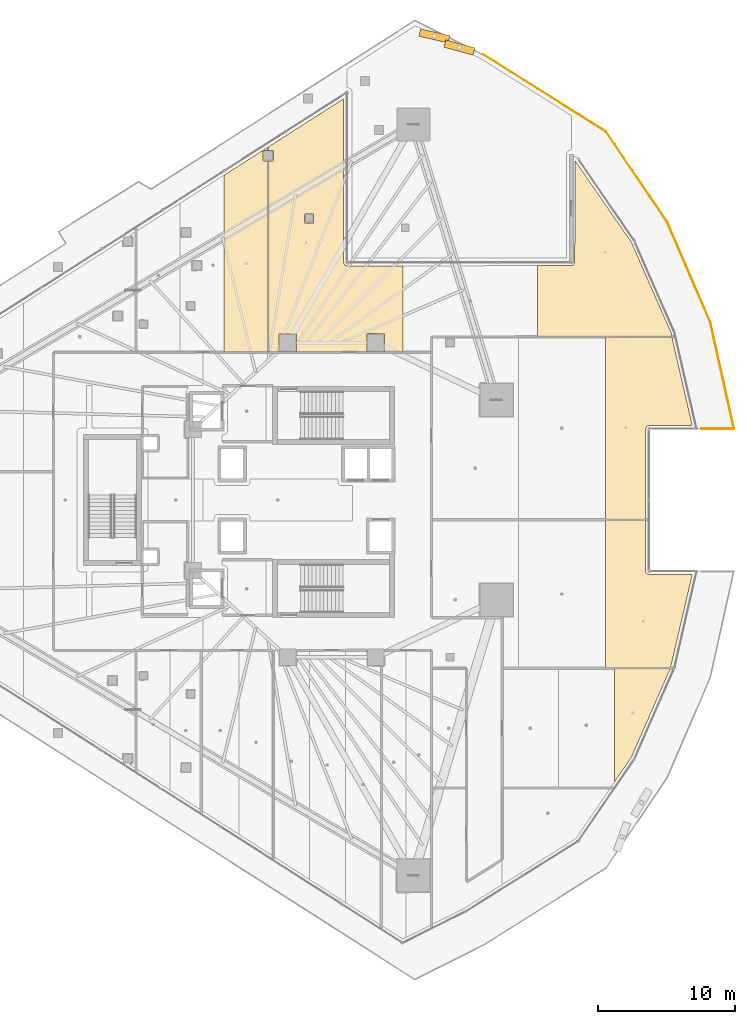
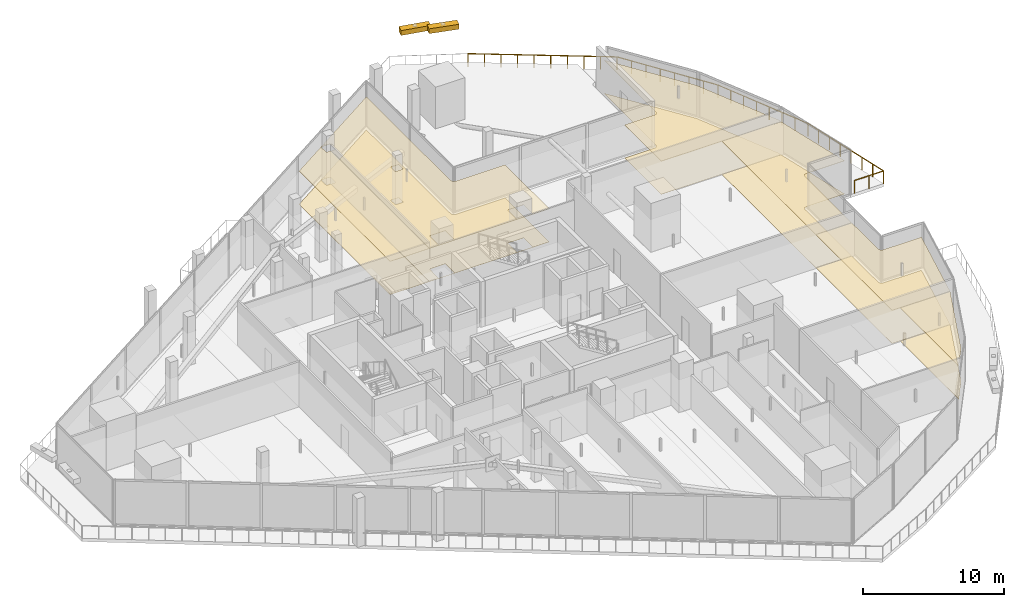
# One storey, part 47 of 47: 12 coverings, 2 shading devices, 1 railing.
"""IFC4 building model written with IfcOpenShell, lengths in metres."""

from ifc_helpers import new_model, si_unit, direction, frame, origin, origin_2d, place, context, subcontext, project, spatial, polyline, rectangle, circle, outline, extrude, material, layer, layer_set, type_object, element, save


model = new_model("IFC4")

# Units and contexts
model_context = context("Model", 3, precision=1e-05, world=origin(), true_north=direction((0.0, 1.0)))
body_context = subcontext(model_context, "Body", "Model", "MODEL_VIEW")
ifc_project = project(units=[si_unit("LENGTHUNIT", "METRE"), si_unit("AREAUNIT", "SQUARE_METRE"), si_unit("VOLUMEUNIT", "CUBIC_METRE"), si_unit("PLANEANGLEUNIT", "RADIAN"), si_unit("MASSUNIT", "GRAM", prefix="KILO")], contexts=[model_context])

# Site, building, storey
site_placement = place(None, origin())
site = spatial("IfcSite", under=ifc_project, at=site_placement, CompositionType="ELEMENT")
building_placement = place(site_placement, origin())
building = spatial("IfcBuilding", under=site, at=building_placement, Name="Qorvath Tower", CompositionType="ELEMENT")
storey_placement = place(building_placement, frame((0.0, 0.0, 74.39990234375)))
storey = spatial("IfcBuildingStorey", under=building, at=storey_placement, Name="L16", CompositionType="ELEMENT", Elevation=74.39990234375)

# Coverings
ifc_material_1 = material(Name="Acoustic mineral fibre ceiling tile", Category="gypsum")
ifc_layer_1 = layer(ifc_material_1, 0.030029296875)
ifc_layer_set_1 = layer_set([ifc_layer_1], Name="COV-CEIL")
covering_type_1 = type_object("IfcCoveringType", Name="COV-CEIL", PredefinedType="CEILING", material=ifc_layer_set_1)
covering_1_placement = place(storey_placement, frame((0.0, 0.0, 2.85009765625)))
element("IfcCovering", 1, at=covering_1_placement, inside=storey, type_object=covering_type_1, Name="L16 Suspended Acoustic Ceiling 010", PredefinedType="CEILING", context=body_context, shape_type="SweptSolid", body=[
    extrude(outline(polyline([(-25.038818359375, 25.44384765625), (-25.038818359375, 25.686279296875), (-28.240966796875, 23.639892578125), (-28.240966796875, 10.762939453125), (-25.038818359375, 10.762939453125), (-25.038818359375, 24.673828125), (-25.405029296875, 24.69140625), (-25.422607421875, 25.3837890625), (-25.362548828125, 25.44384765625), (-25.038818359375, 25.44384765625)])), origin(), (0.0, 0.0, 1.0), 0.030029296875),
])
covering_2_placement = place(storey_placement, frame((0.0, 0.0, 2.85009765625)))
element("IfcCovering", 2, at=covering_2_placement, inside=storey, type_object=covering_type_1, Name="L16 Suspended Acoustic Ceiling 011", PredefinedType="CEILING", context=body_context, shape_type="SweptSolid", body=[
    extrude(outline(polyline([(-15.228271484375, 10.762939453125), (-15.228271484375, 17.034423828125), (-19.280029296875, 17.02490234375), (-19.458740234375, 17.0986328125), (-19.534912109375, 17.280029296875), (-19.534912109375, 29.2041015625), (-25.020751953125, 25.697998046875), (-25.020751953125, 25.44384765625), (-24.712646484375, 25.44384765625), (-24.652587890625, 25.3837890625), (-24.652587890625, 24.73388671875), (-24.712646484375, 24.673828125), (-25.020751953125, 24.673828125), (-25.020751953125, 10.762939453125), (-15.228271484375, 10.762939453125)]), holes=[polyline([(-17.860107421875, 12.050048828125), (-17.800048828125, 12.110107421875), (-16.5576171875, 12.092529296875), (-16.5576171875, 10.8076171875), (-17.842529296875, 10.8076171875), (-17.860107421875, 12.050048828125)]), polyline([(-22.38818359375, 20.77001953125), (-22.328125, 20.829833984375), (-21.73583984375, 20.812255859375), (-21.73583984375, 20.177490234375), (-22.37060546875, 20.177490234375), (-22.38818359375, 20.77001953125)]), polyline([(-24.260009765625, 10.85009765625), (-24.242431640625, 12.092529296875), (-22.95751953125, 12.092529296875), (-22.95751953125, 10.8076171875), (-24.199951171875, 10.7900390625), (-24.260009765625, 10.85009765625)])]), origin(), (0.0, 0.0, 1.0), 0.030029296875),
])
covering_3_placement = place(storey_placement, frame((0.0, 0.0, 2.85009765625)))
element("IfcCovering", 3, at=covering_3_placement, inside=storey, type_object=covering_type_1, Name="L16 Suspended Acoustic Ceiling 013", PredefinedType="CEILING", context=body_context, shape_type="SweptSolid", body=[
    extrude(outline(polyline([(-5.435546875, 17.057373046875), (-5.435546875, 11.878173828125), (4.357177734375, 11.883056640625), (4.30078125, 12.158447265625), (1.416259765625, 18.74072265625), (-2.696044921875, 24.69970703125), (-2.72509765625, 17.281005859375), (-2.869384765625, 17.0634765625), (-5.435546875, 17.057373046875)])), origin(), (0.0, 0.0, 1.0), 0.030029296875),
])
covering_4_placement = place(storey_placement, frame((0.0, 0.0, 2.85009765625)))
element("IfcCovering", 4, at=covering_4_placement, inside=storey, type_object=covering_type_1, Name="L16 Suspended Acoustic Ceiling 027", PredefinedType="CEILING", context=body_context, shape_type="SweptSolid", body=[
    extrude(outline(polyline([(0.162353515625, -12.254150390625), (0.162353515625, -20.541259765625), (1.398681640625, -18.73095703125), (4.237060546875, -12.254150390625), (0.162353515625, -12.254150390625)])), origin(), (0.0, 0.0, 1.0), 0.030029296875),
])
covering_5_placement = place(storey_placement, frame((0.0, 0.0, 2.85009765625)))
element("IfcCovering", 5, at=covering_5_placement, inside=storey, type_object=covering_type_1, Name="L16 Suspended Acoustic Ceiling 031", PredefinedType="CEILING", context=body_context, shape_type="SweptSolid", body=[
    extrude(outline(polyline([(2.532958984375, -5.3798828125), (2.445556640625, -5.232666015625), (2.44091796875, -1.4462890625), (-0.491455078125, -1.4462890625), (-0.491455078125, -12.236328125), (4.244140625, -12.236328125), (5.831298828125, -5.43896484375), (2.67138671875, -5.437744140625), (2.532958984375, -5.3798828125)])), origin(), (0.0, 0.0, 1.0), 0.030029296875),
])
covering_6_placement = place(storey_placement, frame((0.0, 0.0, 2.85009765625)))
element("IfcCovering", 6, at=covering_6_placement, inside=storey, type_object=covering_type_1, Name="L16 Suspended Acoustic Ceiling 034", PredefinedType="CEILING", context=body_context, shape_type="SweptSolid", body=[
    extrude(outline(polyline([(2.51708984375, 5.365478515625), (2.69580078125, 5.43896484375), (5.831298828125, 5.43896484375), (4.348388671875, 11.864990234375), (-0.491455078125, 11.863037109375), (-0.491455078125, -1.428466796875), (2.44091796875, -1.428466796875), (2.44091796875, 5.18408203125), (2.51708984375, 5.365478515625)])), origin(), (0.0, 0.0, 1.0), 0.030029296875),
])
ifc_material_2 = material(Name="Low-VOC modular carpet tile", Category="textile")
ifc_layer_2 = layer(ifc_material_2, 0.014892578125)
ifc_layer_set_2 = layer_set([ifc_layer_2], Name="COV-FLOOR-CPT")
covering_type_2 = type_object("IfcCoveringType", Name="COV-FLOOR-CPT", PredefinedType="FLOORING", material=ifc_layer_set_2)
covering_7_placement = place(storey_placement, origin())
element("IfcCovering", 7, at=covering_7_placement, inside=storey, type_object=covering_type_2, Name="L16 Floor Finish 010", PredefinedType="FLOORING", context=body_context, shape_type="SweptSolid", body=[
    extrude(outline(polyline([(-25.038818359375, 25.44384765625), (-25.038818359375, 25.686279296875), (-28.240966796875, 23.639892578125), (-28.240966796875, 10.762939453125), (-25.038818359375, 10.762939453125), (-25.038818359375, 24.673828125), (-25.405029296875, 24.69140625), (-25.422607421875, 25.3837890625), (-25.362548828125, 25.44384765625), (-25.038818359375, 25.44384765625)])), origin(), (0.0, 0.0, 1.0), 0.01513671875),
])
covering_8_placement = place(storey_placement, origin())
element("IfcCovering", 8, at=covering_8_placement, inside=storey, type_object=covering_type_2, Name="L16 Floor Finish 011", PredefinedType="FLOORING", context=body_context, shape_type="SweptSolid", body=[
    extrude(outline(polyline([(-15.228271484375, 10.762939453125), (-15.228271484375, 17.034423828125), (-19.280029296875, 17.02490234375), (-19.458740234375, 17.0986328125), (-19.534912109375, 17.280029296875), (-19.534912109375, 29.2041015625), (-25.020751953125, 25.697998046875), (-25.020751953125, 25.44384765625), (-24.712646484375, 25.44384765625), (-24.652587890625, 25.3837890625), (-24.652587890625, 24.73388671875), (-24.712646484375, 24.673828125), (-25.020751953125, 24.673828125), (-25.020751953125, 10.762939453125), (-15.228271484375, 10.762939453125)]), holes=[polyline([(-17.860107421875, 12.050048828125), (-17.800048828125, 12.110107421875), (-16.5576171875, 12.092529296875), (-16.5576171875, 10.8076171875), (-17.842529296875, 10.8076171875), (-17.860107421875, 12.050048828125)]), polyline([(-22.38818359375, 20.77001953125), (-22.328125, 20.829833984375), (-21.73583984375, 20.812255859375), (-21.73583984375, 20.177490234375), (-22.37060546875, 20.177490234375), (-22.38818359375, 20.77001953125)]), polyline([(-24.260009765625, 10.85009765625), (-24.242431640625, 12.092529296875), (-22.95751953125, 12.092529296875), (-22.95751953125, 10.8076171875), (-24.199951171875, 10.7900390625), (-24.260009765625, 10.85009765625)])]), origin(), (0.0, 0.0, 1.0), 0.01513671875),
])
covering_9_placement = place(storey_placement, origin())
element("IfcCovering", 9, at=covering_9_placement, inside=storey, type_object=covering_type_2, Name="L16 Floor Finish 013", PredefinedType="FLOORING", context=body_context, shape_type="SweptSolid", body=[
    extrude(outline(polyline([(-5.435546875, 17.057373046875), (-5.435546875, 11.878173828125), (4.357177734375, 11.883056640625), (4.30078125, 12.158447265625), (1.416259765625, 18.74072265625), (-2.696044921875, 24.69970703125), (-2.72509765625, 17.281005859375), (-2.869384765625, 17.0634765625), (-5.435546875, 17.057373046875)])), origin(), (0.0, 0.0, 1.0), 0.01513671875),
])
covering_10_placement = place(storey_placement, origin())
element("IfcCovering", 10, at=covering_10_placement, inside=storey, type_object=covering_type_2, Name="L16 Floor Finish 027", PredefinedType="FLOORING", context=body_context, shape_type="SweptSolid", body=[
    extrude(outline(polyline([(0.162353515625, -12.254150390625), (0.162353515625, -20.541259765625), (1.398681640625, -18.73095703125), (4.237060546875, -12.254150390625), (0.162353515625, -12.254150390625)])), origin(), (0.0, 0.0, 1.0), 0.01513671875),
])
covering_11_placement = place(storey_placement, origin())
element("IfcCovering", 11, at=covering_11_placement, inside=storey, type_object=covering_type_2, Name="L16 Floor Finish 031", PredefinedType="FLOORING", context=body_context, shape_type="SweptSolid", body=[
    extrude(outline(polyline([(2.532958984375, -5.3798828125), (2.445556640625, -5.232666015625), (2.44091796875, -1.4462890625), (-0.491455078125, -1.4462890625), (-0.491455078125, -12.236328125), (4.244140625, -12.236328125), (5.831298828125, -5.43896484375), (2.67138671875, -5.437744140625), (2.532958984375, -5.3798828125)])), origin(), (0.0, 0.0, 1.0), 0.01513671875),
])
covering_12_placement = place(storey_placement, origin())
element("IfcCovering", 12, at=covering_12_placement, inside=storey, type_object=covering_type_2, Name="L16 Floor Finish 034", PredefinedType="FLOORING", context=body_context, shape_type="SweptSolid", body=[
    extrude(outline(polyline([(2.51708984375, 5.365478515625), (2.69580078125, 5.43896484375), (5.831298828125, 5.43896484375), (4.348388671875, 11.864990234375), (-0.491455078125, 11.863037109375), (-0.491455078125, -1.428466796875), (2.44091796875, -1.428466796875), (2.44091796875, 5.18408203125), (2.51708984375, 5.365478515625)])), origin(), (0.0, 0.0, 1.0), 0.01513671875),
])

# Railing
ifc_material_3 = material(Name="Laminated safety glass and stainless steel AISI 316", Category="steel")
railing_type = type_object("IfcRailingType", Name="RL-EXT-GRD", PredefinedType="GUARDRAIL", material=ifc_material_3)
railing_placement = place(storey_placement, frame((-9.375, 32.418701171875, 0.0)))
element("IfcRailing", 13, at=railing_placement, inside=storey, type_object=railing_type, Name="Loggia Perimeter Guardrail L16-1.1", PredefinedType="GUARDRAIL", context=body_context, shape_type="SweptSolid", body=[
    extrude(circle(Radius=0.02392578125, at=origin_2d()), frame((0.0, 0.0, 1.09619140625), z_axis=(0.84650076286, -0.532387507815, 0.0), x_axis=(0.532387507815, 0.84650076286, 0.0)), (0.0, 0.0, 1.0), 10.556396484375),
    extrude(circle(Radius=0.02392578125, at=origin_2d()), frame((8.93603515625, -5.6201171875, 1.09619140625), z_axis=(0.560810063279, -0.827944486621, 0.0), x_axis=(0.827944486621, 0.560810063279, 0.0)), (0.0, 0.0, 1.0), 7.938232421875),
    extrude(circle(Radius=0.02392578125, at=origin_2d()), frame((13.387939453125, -12.192626953125, 1.09619140625), z_axis=(0.395496185531, -0.918467619043, 0.0), x_axis=(0.918467619043, 0.395496185531, 0.0)), (0.0, 0.0, 1.0), 7.9384765625),
    extrude(circle(Radius=0.02392578125, at=origin_2d()), frame((16.527587890625, -19.48388671875, 1.09619140625), z_axis=(0.216083712762, -0.976374840458, 0.0), x_axis=(0.976374840458, 0.216083712762, 0.0)), (0.0, 0.0, 1.0), 7.938232421875),
    extrude(circle(Radius=0.02392578125, at=origin_2d()), frame((18.242919921875, -27.234619140625, 1.09619140625), z_axis=(-1.0, 0.0, 0.0), x_axis=(0.0, -1.0, 0.0)), (0.0, 0.0, 1.0), 2.366455078125),
    extrude(circle(Radius=0.02099609375, at=origin_2d()), origin(), (0.0, 0.0, 1.0), 1.072021484375),
    extrude(circle(Radius=0.02099609375, at=origin_2d()), frame((0.992919921875, -0.62451171875, 0.0)), (0.0, 0.0, 1.0), 1.072021484375),
    extrude(circle(Radius=0.02099609375, at=origin_2d()), frame((1.98583984375, -1.2490234375, 0.0)), (0.0, 0.0, 1.0), 1.072021484375),
    extrude(circle(Radius=0.02099609375, at=origin_2d()), frame((2.978759765625, -1.873291015625, 0.0)), (0.0, 0.0, 1.0), 1.072021484375),
    extrude(circle(Radius=0.02099609375, at=origin_2d()), frame((3.9716796875, -2.497802734375, 0.0)), (0.0, 0.0, 1.0), 1.072021484375),
    extrude(circle(Radius=0.02099609375, at=origin_2d()), frame((4.96435546875, -3.122314453125, 0.0)), (0.0, 0.0, 1.0), 1.072021484375),
    extrude(circle(Radius=0.02099609375, at=origin_2d()), frame((5.957275390625, -3.746826171875, 0.0)), (0.0, 0.0, 1.0), 1.072021484375),
    extrude(circle(Radius=0.02099609375, at=origin_2d()), frame((6.9501953125, -4.37109375, 0.0)), (0.0, 0.0, 1.0), 1.072021484375),
    extrude(circle(Radius=0.02099609375, at=origin_2d()), frame((7.943115234375, -4.99560546875, 0.0)), (0.0, 0.0, 1.0), 1.072021484375),
    extrude(circle(Radius=0.02099609375, at=origin_2d()), frame((8.93603515625, -5.6201171875, 0.0)), (0.0, 0.0, 1.0), 1.072021484375),
    extrude(circle(Radius=0.02099609375, at=origin_2d()), frame((9.572021484375, -6.55908203125, 0.0)), (0.0, 0.0, 1.0), 1.072021484375),
    extrude(circle(Radius=0.02099609375, at=origin_2d()), frame((10.2080078125, -7.498046875, 0.0)), (0.0, 0.0, 1.0), 1.072021484375),
    extrude(circle(Radius=0.02099609375, at=origin_2d()), frame((10.843994140625, -8.43701171875, 0.0)), (0.0, 0.0, 1.0), 1.072021484375),
    extrude(circle(Radius=0.02099609375, at=origin_2d()), frame((11.47998046875, -9.375732421875, 0.0)), (0.0, 0.0, 1.0), 1.072021484375),
    extrude(circle(Radius=0.02099609375, at=origin_2d()), frame((12.115966796875, -10.314697265625, 0.0)), (0.0, 0.0, 1.0), 1.072021484375),
    extrude(circle(Radius=0.02099609375, at=origin_2d()), frame((12.751953125, -11.253662109375, 0.0)), (0.0, 0.0, 1.0), 1.072021484375),
    extrude(circle(Radius=0.02099609375, at=origin_2d()), frame((13.387939453125, -12.192626953125, 0.0)), (0.0, 0.0, 1.0), 1.072021484375),
    extrude(circle(Radius=0.02099609375, at=origin_2d()), frame((13.83642578125, -13.234130859375, 0.0)), (0.0, 0.0, 1.0), 1.072021484375),
    extrude(circle(Radius=0.02099609375, at=origin_2d()), frame((14.284912109375, -14.27587890625, 0.0)), (0.0, 0.0, 1.0), 1.072021484375),
    extrude(circle(Radius=0.02099609375, at=origin_2d()), frame((14.7333984375, -15.3173828125, 0.0)), (0.0, 0.0, 1.0), 1.072021484375),
    extrude(circle(Radius=0.02099609375, at=origin_2d()), frame((15.18212890625, -16.359130859375, 0.0)), (0.0, 0.0, 1.0), 1.072021484375),
    extrude(circle(Radius=0.02099609375, at=origin_2d()), frame((15.630615234375, -17.400634765625, 0.0)), (0.0, 0.0, 1.0), 1.072021484375),
    extrude(circle(Radius=0.02099609375, at=origin_2d()), frame((16.0791015625, -18.4423828125, 0.0)), (0.0, 0.0, 1.0), 1.072021484375),
    extrude(circle(Radius=0.02099609375, at=origin_2d()), frame((16.527587890625, -19.48388671875, 0.0)), (0.0, 0.0, 1.0), 1.072021484375),
    extrude(circle(Radius=0.02099609375, at=origin_2d()), frame((16.772705078125, -20.591064453125, 0.0)), (0.0, 0.0, 1.0), 1.072021484375),
    extrude(circle(Radius=0.02099609375, at=origin_2d()), frame((17.017578125, -21.698486328125, 0.0)), (0.0, 0.0, 1.0), 1.072021484375),
    extrude(circle(Radius=0.02099609375, at=origin_2d()), frame((17.2626953125, -22.8056640625, 0.0)), (0.0, 0.0, 1.0), 1.072021484375),
    extrude(circle(Radius=0.02099609375, at=origin_2d()), frame((17.5078125, -23.912841796875, 0.0)), (0.0, 0.0, 1.0), 1.072021484375),
    extrude(circle(Radius=0.02099609375, at=origin_2d()), frame((17.7529296875, -25.02001953125, 0.0)), (0.0, 0.0, 1.0), 1.072021484375),
    extrude(circle(Radius=0.02099609375, at=origin_2d()), frame((17.997802734375, -26.12744140625, 0.0)), (0.0, 0.0, 1.0), 1.072021484375),
    extrude(circle(Radius=0.02099609375, at=origin_2d()), frame((18.242919921875, -27.234619140625, 0.0)), (0.0, 0.0, 1.0), 1.072021484375),
    extrude(circle(Radius=0.02099609375, at=origin_2d()), frame((17.0595703125, -27.234619140625, 0.0)), (0.0, 0.0, 1.0), 1.072021484375),
    extrude(circle(Radius=0.02099609375, at=origin_2d()), frame((15.87646484375, -27.234619140625, 0.0)), (0.0, 0.0, 1.0), 1.072021484375),
])

# Shading devices
ifc_material_4 = material(Name="Anodised bronze-champagne aluminium", Category="aluminium")
shading_device_type = type_object("IfcShadingDeviceType", Name="SD-LOUVRE", PredefinedType="JALOUSIE", material=ifc_material_4)
for number, where, z_axis, x_axis, name in (
    (14, (-11.1142578125, 32.930419921875, 3.500244140625), (0.0, 0.0, 1.0), (-0.965086931006, 0.26192979136, 0.0), "Sinusoidal Wave Louvre Blade L16-05"),
    (15, (-12.936767578125, 33.773681640625, 3.500244140625), (0.0, 0.0, 1.0), (-0.974956033643, 0.22239768988, 0.0), "Sinusoidal Wave Louvre Blade L16-06"),
):
    element("IfcShadingDevice", number, at=place(storey_placement, frame(where, z_axis=z_axis, x_axis=x_axis)), inside=storey, type_object=shading_device_type, Name=name, PredefinedType="NOTDEFINED", context=body_context, shape_type="SweptSolid", body=[
        extrude(rectangle(XDim=2.199951171875, YDim=0.550048828125, at=origin_2d()), origin(), (0.0, 0.0, 1.0), 0.419921875),
    ])

save(model, "model.ifc")
